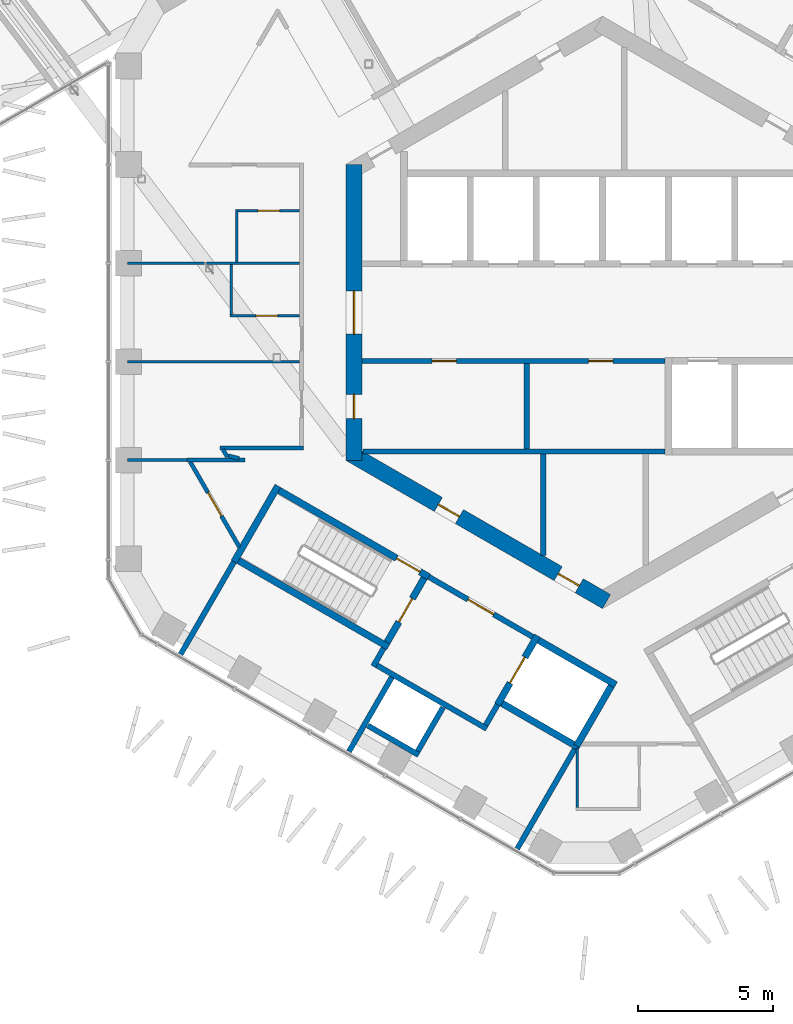
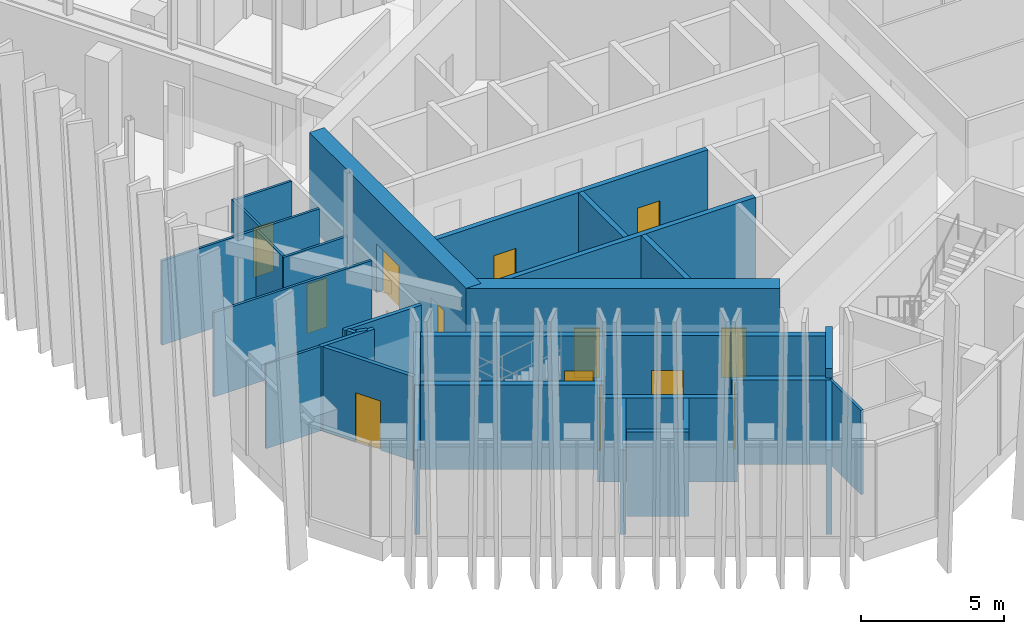
# One storey, part 18 of 29: 36 walls, 13 doors, 13 openings.
"""IFC4 building model written with IfcOpenShell, lengths in metres."""

from ifc_helpers import new_model, si_unit, direction, frame, frame_2d, origin, place, context, subcontext, project, spatial, rectangle, extrude, material, layer, layer_set, type_object, element, fill, save


model = new_model("IFC4")

# Units and contexts
model_context = context("Model", 3, precision=1e-05, world=origin(), true_north=direction((0.0, 1.0)))
body_context = subcontext(model_context, "Body", "Model", "MODEL_VIEW")
ifc_project = project(units=[si_unit("LENGTHUNIT", "METRE"), si_unit("AREAUNIT", "SQUARE_METRE"), si_unit("VOLUMEUNIT", "CUBIC_METRE"), si_unit("PLANEANGLEUNIT", "RADIAN"), si_unit("MASSUNIT", "GRAM", prefix="KILO")], contexts=[model_context])

# Site, building, storey
site_placement = place(None, origin())
site = spatial("IfcSite", under=ifc_project, at=site_placement, CompositionType="ELEMENT")
building_placement = place(site_placement, origin())
building = spatial("IfcBuilding", under=site, at=building_placement, Name="Ayvan Gate Tower", CompositionType="ELEMENT")
storey_placement = place(building_placement, frame((0.0, 0.0, 186.699951171875)))
storey = spatial("IfcBuildingStorey", under=building, at=storey_placement, Name="L50", CompositionType="ELEMENT", Elevation=186.699951171875)

# Wall, openings, doors
ifc_material_1 = material(Name="Concrete C60/75", Category="concrete")
ifc_layer_1 = layer(ifc_material_1, 0.60009765625)
ifc_layer_set_1 = layer_set([ifc_layer_1], Name="Concrete C60/75")
wall_type_1 = type_object("IfcWallType", Name="Core wall 600 C60/75", PredefinedType="SHEAR", material=ifc_layer_set_1)
wall_1_placement = place(storey_placement, frame((-9.199951171875, 5.48486328125, 0.0), z_axis=(0.0, 0.0, 1.0), x_axis=(0.0, -1.0, 0.0)))
wall_1 = element("IfcWall", 1, at=wall_1_placement, inside=storey, type_object=wall_type_1, Name="CORE-L50-3", PredefinedType="SHEAR", context=body_context, shape_type="SweptSolid", body=[
    extrude(rectangle(XDim=10.9697265625, YDim=0.60009765625, at=frame_2d((5.48486328125, 0.0))), origin(), (0.0, 0.0, 1.0), 4.0),
])
opening_1_placement = place(wall_1_placement, frame((8.51611328125, 0.0, 0.0)))
opening_1 = element("IfcOpeningElement", 2, at=opening_1_placement, cuts=wall_1, Name="Opening L50-D54", PredefinedType="OPENING", context=body_context, shape_type="SweptSolid", body=[
    extrude(rectangle(XDim=0.89990234375, YDim=2.10009765625, at=frame_2d((0.449951171875, 1.050048828125))), frame((0.0, 0.31005859375, 0.0), z_axis=(0.0, -1.0, 0.0), x_axis=(1.0, 0.0, 0.0)), (0.0, 0.0, 1.0), 0.6201171875),
])
opening_2_placement = place(wall_1_placement, frame((4.684814453125, 0.0, 0.0)))
opening_2 = element("IfcOpeningElement", 3, at=opening_2_placement, cuts=wall_1, Name="Opening L50-D56", PredefinedType="OPENING", context=body_context, shape_type="SweptSolid", body=[
    extrude(rectangle(XDim=1.60009765625, YDim=2.10009765625, at=frame_2d((0.800048828125, 1.050048828125))), frame((0.0, 0.31005859375, 0.0), z_axis=(0.0, -1.0, 0.0), x_axis=(1.0, 0.0, 0.0)), (0.0, 0.0, 1.0), 0.6201171875),
])
ifc_material_2 = material(Name="Timber door leaf", Category="wood")
door_type_1 = type_object("IfcDoorType", Name="DT-1600", OperationType="NOTDEFINED", PredefinedType="DOOR", material=ifc_material_2)
door_1_placement = place(opening_2_placement, origin())
door_1 = element("IfcDoor", 4, at=door_1_placement, inside=storey, type_object=door_type_1, Name="CD-L50-56", OperationType="SINGLE_SWING_RIGHT", OverallHeight=2.10009765625, OverallWidth=1.60009765625, PredefinedType="DOOR", context=body_context, shape_type="SweptSolid", body=[
    extrude(rectangle(XDim=1.60009765625, YDim=2.10009765625, at=frame_2d((0.800048828125, 1.050048828125))), frame((0.0, 0.02490234375, 0.0), z_axis=(0.0, -1.0, 0.0), x_axis=(1.0, 0.0, 0.0)), (0.0, 0.0, 1.0), 0.050048828125),
])
fill(opening_2, door_1)
door_type_2 = type_object("IfcDoorType", Name="DT-900", OperationType="NOTDEFINED", PredefinedType="DOOR", material=ifc_material_2)
door_2_placement = place(opening_1_placement, origin())
door_2 = element("IfcDoor", 5, at=door_2_placement, inside=storey, type_object=door_type_2, Name="CD-L50-54", OperationType="SINGLE_SWING_RIGHT", OverallHeight=2.10009765625, OverallWidth=0.89990234375, PredefinedType="DOOR", context=body_context, shape_type="SweptSolid", body=[
    extrude(rectangle(XDim=0.89990234375, YDim=2.10009765625, at=frame_2d((0.449951171875, 1.050048828125))), frame((0.0, 0.02490234375, 0.0), z_axis=(0.0, -1.0, 0.0), x_axis=(1.0, 0.0, 0.0)), (0.0, 0.0, 1.0), 0.050048828125),
])
fill(opening_1, door_2)

wall_2_placement = place(storey_placement, frame((-9.35009765625, -5.22509765625, 0.0), z_axis=(0.0, 0.0, 1.0), x_axis=(0.866023993627, -0.500002442456, 0.0)))
wall_2 = element("IfcWall", 6, at=wall_2_placement, inside=storey, type_object=wall_type_1, Name="CORE-L50-4", PredefinedType="SHEAR", context=body_context, shape_type="SweptSolid", body=[
    extrude(rectangle(XDim=10.9697265625, YDim=0.60009765625, at=frame_2d((5.48486328125, 0.0))), origin(), (0.0, 0.0, 1.0), 4.0),
])
opening_3_placement = place(wall_2_placement, frame((3.77685546875, 0.0, 0.0)))
opening_3 = element("IfcOpeningElement", 7, at=opening_3_placement, cuts=wall_2, Name="Opening L50-D51", PredefinedType="OPENING", context=body_context, shape_type="SweptSolid", body=[
    extrude(rectangle(XDim=0.89990234375, YDim=2.10009765625, at=frame_2d((0.449951171875, 1.050048828125))), frame((0.0, 0.31005859375, 0.0), z_axis=(0.0, -1.0, 0.0), x_axis=(1.0, 0.0, 0.0)), (0.0, 0.0, 1.0), 0.6201171875),
])
opening_4_placement = place(wall_2_placement, frame((8.902587890625, 0.0, 0.0)))
opening_4 = element("IfcOpeningElement", 8, at=opening_4_placement, cuts=wall_2, Name="Opening L50-D52", PredefinedType="OPENING", context=body_context, shape_type="SweptSolid", body=[
    extrude(rectangle(XDim=0.89990234375, YDim=2.10009765625, at=frame_2d((0.449951171875, 1.050048828125))), frame((0.0, 0.31005859375, 0.0), z_axis=(0.0, -1.0, 0.0), x_axis=(1.0, 0.0, 0.0)), (0.0, 0.0, 1.0), 0.6201171875),
])
door_3_placement = place(opening_3_placement, origin())
door_3 = element("IfcDoor", 9, at=door_3_placement, inside=storey, type_object=door_type_2, Name="CD-L50-51", OperationType="SINGLE_SWING_LEFT", OverallHeight=2.10009765625, OverallWidth=0.89990234375, PredefinedType="DOOR", context=body_context, shape_type="SweptSolid", body=[
    extrude(rectangle(XDim=0.89990234375, YDim=2.10009765625, at=frame_2d((0.449951171875, 1.050048828125))), frame((0.0, 0.02490234375, 0.0), z_axis=(0.0, -1.0, 0.0), x_axis=(1.0, 0.0, 0.0)), (0.0, 0.0, 1.0), 0.050048828125),
])
fill(opening_3, door_3)
door_4_placement = place(opening_4_placement, origin())
door_4 = element("IfcDoor", 10, at=door_4_placement, inside=storey, type_object=door_type_2, Name="CD-L50-52", OperationType="SINGLE_SWING_RIGHT", OverallHeight=2.10009765625, OverallWidth=0.89990234375, PredefinedType="DOOR", context=body_context, shape_type="SweptSolid", body=[
    extrude(rectangle(XDim=0.89990234375, YDim=2.10009765625, at=frame_2d((0.449951171875, 1.050048828125))), frame((0.0, 0.02490234375, 0.0), z_axis=(0.0, -1.0, 0.0), x_axis=(1.0, 0.0, 0.0)), (0.0, 0.0, 1.0), 0.050048828125),
])
fill(opening_4, door_4)

# Walls
ifc_material_3 = material(Name="Plasterboard on steel stud", Category="steel")
ifc_layer_2 = layer(ifc_material_3, 0.14990234375)
ifc_layer_set_2 = layer_set([ifc_layer_2], Name="Plasterboard on steel stud")
wall_type_2 = type_object("IfcWallType", Name="WT-CORR-150", PredefinedType="PARTITIONING", material=ifc_layer_set_2)
wall_3_placement = place(storey_placement, frame((-15.386474609375, -5.46630859375, 0.0), z_axis=(0.0, 0.0, 1.0), x_axis=(1.0, 0.0, 0.0)))
element("IfcWall", 11, at=wall_3_placement, inside=storey, type_object=wall_type_2, Name="IW-L50-010", PredefinedType="PARTITIONING", context=body_context, shape_type="SweptSolid", body=[
    extrude(rectangle(XDim=2.14306640625, YDim=0.14990234375, at=frame_2d((1.071533203125, 0.0))), origin(), (0.0, 0.0, 1.0), 3.60009765625),
])
wall_4_placement = place(storey_placement, frame((-14.1728515625, -5.016357421875, 0.0), z_axis=(0.0, 0.0, 1.0), x_axis=(1.0, 0.0, 0.0)))
element("IfcWall", 12, at=wall_4_placement, inside=storey, type_object=wall_type_2, Name="IW-L50-014", PredefinedType="PARTITIONING", context=body_context, shape_type="SweptSolid", body=[
    extrude(rectangle(XDim=3.097900390625, YDim=0.14990234375, at=frame_2d((1.548828125, 0.0))), origin(), (0.0, 0.0, 1.0), 3.60009765625),
])
wall_5_placement = place(storey_placement, frame((-13.893798828125, -5.35498046875, 0.0), z_axis=(0.0, 0.0, 1.0), x_axis=(-0.51595199771, 0.856617496937, 0.0)))
element("IfcWall", 13, at=wall_5_placement, inside=storey, type_object=wall_type_2, Name="IW-L50-015", PredefinedType="PARTITIONING", context=body_context, shape_type="SweptSolid", body=[
    extrude(rectangle(XDim=0.3203125, YDim=0.14990234375, at=frame_2d((0.16015625, 0.0))), origin(), (0.0, 0.0, 1.0), 3.60009765625),
])
wall_6_placement = place(storey_placement, frame((-13.45947265625, -5.412109375, 0.0), z_axis=(0.0, 0.0, 1.0), x_axis=(-0.968736704431, 0.248091107232, 0.0)))
element("IfcWall", 14, at=wall_6_placement, inside=storey, type_object=wall_type_2, Name="IW-L50-021", PredefinedType="PARTITIONING", context=body_context, shape_type="SweptSolid", body=[
    extrude(rectangle(XDim=0.413330078125, YDim=0.14990234375, at=frame_2d((0.20654296875, 0.0))), origin(), (0.0, 0.0, 1.0), 3.60009765625),
])

# Wall, opening, door
wall_7_placement = place(storey_placement, frame((-13.453125, -8.68505859375, 0.0), z_axis=(0.0, 0.0, 1.0), x_axis=(-0.499989401968, 0.866031522475, 0.0)))
wall_7 = element("IfcWall", 15, at=wall_7_placement, inside=storey, type_object=wall_type_2, Name="IW-L50-022", PredefinedType="PARTITIONING", context=body_context, shape_type="SweptSolid", body=[
    extrude(rectangle(XDim=3.6416015625, YDim=0.14990234375, at=frame_2d((1.82080078125, 0.0))), origin(), (0.0, 0.0, 1.0), 3.60009765625),
])
opening_5_placement = place(wall_7_placement, frame((1.32080078125, 0.0, 0.0)))
opening_5 = element("IfcOpeningElement", 16, at=opening_5_placement, cuts=wall_7, Name="Opening L50-D30", PredefinedType="OPENING", context=body_context, shape_type="SweptSolid", body=[
    extrude(rectangle(XDim=1.0, YDim=2.10009765625, at=frame_2d((0.5, 1.050048828125))), frame((0.0, 0.0849609375, 0.0), z_axis=(0.0, -1.0, 0.0), x_axis=(1.0, 0.0, 0.0)), (0.0, 0.0, 1.0), 0.169921875),
])
door_type_3 = type_object("IfcDoorType", Name="DT-1000", OperationType="NOTDEFINED", PredefinedType="DOOR", material=ifc_material_2)
door_5_placement = place(opening_5_placement, origin())
door_5 = element("IfcDoor", 17, at=door_5_placement, inside=storey, type_object=door_type_3, Name="ID-L50-030", OperationType="SINGLE_SWING_RIGHT", OverallHeight=2.10009765625, OverallWidth=1.0, PredefinedType="DOOR", context=body_context, shape_type="SweptSolid", body=[
    extrude(rectangle(XDim=1.0, YDim=2.10009765625, at=frame_2d((0.5, 1.050048828125))), frame((0.0, 0.02490234375, 0.0), z_axis=(0.0, -1.0, 0.0), x_axis=(1.0, 0.0, 0.0)), (0.0, 0.0, 1.0), 0.050048828125),
])
fill(opening_5, door_5)

# Wall
ifc_layer_3 = layer(ifc_material_3, 0.10009765625)
ifc_layer_set_3 = layer_set([ifc_layer_3], Name="Plasterboard on steel stud")
wall_type_3 = type_object("IfcWallType", Name="WT-PART-100", PredefinedType="PARTITIONING", material=ifc_layer_set_3)
wall_8_placement = place(storey_placement, frame((-15.38623046875, -5.46630859375, 0.0), z_axis=(0.0, 0.0, 1.0), x_axis=(-1.0, 0.0, 0.0)))
element("IfcWall", 18, at=wall_8_placement, inside=storey, type_object=wall_type_3, Name="IW-L50-011", PredefinedType="PARTITIONING", context=body_context, shape_type="SweptSolid", body=[
    extrude(rectangle(XDim=2.206787109375, YDim=0.10009765625, at=frame_2d((1.103515625, 0.0))), origin(), (0.0, 0.0, 1.0), 3.60009765625),
])

# Wall, opening, door
wall_9_placement = place(storey_placement, frame((-13.800048828125, -0.1220703125, 0.0), z_axis=(0.0, 0.0, 1.0), x_axis=(1.0, 0.0, 0.0)))
wall_9 = element("IfcWall", 19, at=wall_9_placement, inside=storey, type_object=wall_type_3, Name="IW-L50-016", PredefinedType="PARTITIONING", context=body_context, shape_type="SweptSolid", body=[
    extrude(rectangle(XDim=2.574951171875, YDim=0.10009765625, at=frame_2d((1.28759765625, 0.0))), origin(), (0.0, 0.0, 1.0), 3.60009765625),
])
opening_6_placement = place(wall_9_placement, frame((0.96240234375, 0.0, 0.0)))
opening_6 = element("IfcOpeningElement", 20, at=opening_6_placement, cuts=wall_9, Name="Opening L50-D28", PredefinedType="OPENING", context=body_context, shape_type="SweptSolid", body=[
    extrude(rectangle(XDim=0.800048828125, YDim=2.10009765625, at=frame_2d((0.39990234375, 1.050048828125))), frame((0.0, 0.06005859375, 0.0), z_axis=(0.0, -1.0, 0.0), x_axis=(1.0, 0.0, 0.0)), (0.0, 0.0, 1.0), 0.1201171875),
])
door_type_4 = type_object("IfcDoorType", Name="DT-800", OperationType="NOTDEFINED", PredefinedType="DOOR", material=ifc_material_2)
door_6_placement = place(opening_6_placement, origin())
door_6 = element("IfcDoor", 21, at=door_6_placement, inside=storey, type_object=door_type_4, Name="ID-L50-028", OperationType="SINGLE_SWING_RIGHT", OverallHeight=2.10009765625, OverallWidth=0.800048828125, PredefinedType="DOOR", context=body_context, shape_type="SweptSolid", body=[
    extrude(rectangle(XDim=0.800048828125, YDim=2.10009765625, at=frame_2d((0.39990234375, 1.050048828125))), frame((0.0, 0.02490234375, 0.0), z_axis=(0.0, -1.0, 0.0), x_axis=(1.0, 0.0, 0.0)), (0.0, 0.0, 1.0), 0.050048828125),
])
fill(opening_6, door_6)

# Walls
wall_10_placement = place(storey_placement, frame((-13.75, 1.772216796875, 0.0), z_axis=(0.0, 0.0, 1.0), x_axis=(0.0, -1.0, 0.0)))
element("IfcWall", 22, at=wall_10_placement, inside=storey, type_object=wall_type_3, Name="IW-L50-017", PredefinedType="PARTITIONING", context=body_context, shape_type="SweptSolid", body=[
    extrude(rectangle(XDim=1.84423828125, YDim=0.10009765625, at=frame_2d((0.922119140625, 0.0))), origin(), (0.0, 0.0, 1.0), 3.60009765625),
])
wall_11_placement = place(storey_placement, frame((-17.593017578125, 1.822021484375, 0.0), z_axis=(0.0, 0.0, 1.0), x_axis=(1.0, 0.0, 0.0)))
element("IfcWall", 23, at=wall_11_placement, inside=storey, type_object=wall_type_3, Name="IW-L50-018", PredefinedType="PARTITIONING", context=body_context, shape_type="SweptSolid", body=[
    extrude(rectangle(XDim=6.367919921875, YDim=0.10009765625, at=frame_2d((3.18408203125, 0.0))), origin(), (0.0, 0.0, 1.0), 3.60009765625),
])
wall_12_placement = place(storey_placement, frame((-13.550048828125, 3.81640625, 0.0), z_axis=(0.0, 0.0, 1.0), x_axis=(0.0, -1.0, 0.0)))
element("IfcWall", 24, at=wall_12_placement, inside=storey, type_object=wall_type_3, Name="IW-L50-020", PredefinedType="PARTITIONING", context=body_context, shape_type="SweptSolid", body=[
    extrude(rectangle(XDim=1.9443359375, YDim=0.10009765625, at=frame_2d((0.97216796875, 0.0))), origin(), (0.0, 0.0, 1.0), 3.60009765625),
])

# Wall, opening, door
wall_13_placement = place(storey_placement, frame((-11.22509765625, 3.766357421875, 0.0), z_axis=(0.0, 0.0, 1.0), x_axis=(-1.0, 0.0, 0.0)))
wall_13 = element("IfcWall", 25, at=wall_13_placement, inside=storey, type_object=wall_type_3, Name="IW-L50-029", PredefinedType="PARTITIONING", context=body_context, shape_type="SweptSolid", body=[
    extrude(rectangle(XDim=2.27490234375, YDim=0.10009765625, at=frame_2d((1.137451171875, 0.0))), origin(), (0.0, 0.0, 1.0), 3.60009765625),
])
opening_7_placement = place(wall_13_placement, frame((0.737548828125, 0.0, 0.0)))
opening_7 = element("IfcOpeningElement", 26, at=opening_7_placement, cuts=wall_13, Name="Opening L50-D26", PredefinedType="OPENING", context=body_context, shape_type="SweptSolid", body=[
    extrude(rectangle(XDim=0.800048828125, YDim=2.10009765625, at=frame_2d((0.39990234375, 1.050048828125))), frame((0.0, 0.06005859375, 0.0), z_axis=(0.0, -1.0, 0.0), x_axis=(1.0, 0.0, 0.0)), (0.0, 0.0, 1.0), 0.1201171875),
])
door_7_placement = place(opening_7_placement, origin())
door_7 = element("IfcDoor", 27, at=door_7_placement, inside=storey, type_object=door_type_4, Name="ID-L50-026", OperationType="SINGLE_SWING_RIGHT", OverallHeight=2.10009765625, OverallWidth=0.800048828125, PredefinedType="DOOR", context=body_context, shape_type="SweptSolid", body=[
    extrude(rectangle(XDim=0.800048828125, YDim=2.10009765625, at=frame_2d((0.39990234375, 1.050048828125))), frame((0.0, 0.02490234375, 0.0), z_axis=(0.0, -1.0, 0.0), x_axis=(1.0, 0.0, 0.0)), (0.0, 0.0, 1.0), 0.050048828125),
])
fill(opening_7, door_7)

# Walls
wall_14_placement = place(storey_placement, frame((-11.22509765625, -1.822021484375, 0.0), z_axis=(0.0, 0.0, 1.0), x_axis=(-1.0, 0.0, 0.0)))
element("IfcWall", 28, at=wall_14_placement, inside=storey, type_object=wall_type_3, Name="IW-L50-031", PredefinedType="PARTITIONING", context=body_context, shape_type="SweptSolid", body=[
    extrude(rectangle(XDim=6.367919921875, YDim=0.10009765625, at=frame_2d((3.18408203125, 0.0))), origin(), (0.0, 0.0, 1.0), 3.60009765625),
])
wall_15_placement = place(storey_placement, frame((-0.937255859375, -16.148193359375, 0.0), z_axis=(0.0, 0.0, 1.0), x_axis=(0.0, -1.0, 0.0)))
element("IfcWall", 29, at=wall_15_placement, inside=storey, type_object=wall_type_3, Name="IW-L50-067", PredefinedType="PARTITIONING", context=body_context, shape_type="SweptSolid", body=[
    extrude(rectangle(XDim=2.195068359375, YDim=0.10009765625, at=frame_2d((1.09765625, 0.0))), origin(), (0.0, 0.0, 1.0), 3.60009765625),
])
ifc_layer_4 = layer(ifc_material_3, 0.199951171875)
ifc_layer_set_4 = layer_set([ifc_layer_4], Name="Plasterboard on steel stud")
wall_type_4 = type_object("IfcWallType", Name="WT-PLUMB-200", PredefinedType="PLUMBINGWALL", material=ifc_layer_set_4)
wall_16_placement = place(storey_placement, frame((-15.626708984375, -12.666259765625, 0.0), z_axis=(0.0, 0.0, 1.0), x_axis=(0.499980548326, 0.866036633923, 0.0)))
element("IfcWall", 30, at=wall_16_placement, inside=storey, type_object=wall_type_4, Name="IW-L50-009", PredefinedType="PLUMBINGWALL", context=body_context, shape_type="SweptSolid", body=[
    extrude(rectangle(XDim=3.957763671875, YDim=0.199951171875, at=frame_2d((1.97900390625, 0.0))), origin(), (0.0, 0.0, 1.0), 3.60009765625),
])
wall_17_placement = place(storey_placement, frame((-8.492919921875, -13.110107421875, 0.0), z_axis=(0.0, 0.0, 1.0), x_axis=(0.500067724834, 0.865986299303, 0.0)))
element("IfcWall", 31, at=wall_17_placement, inside=storey, type_object=wall_type_4, Name="IW-L50-038", PredefinedType="PLUMBINGWALL", context=body_context, shape_type="SweptSolid", body=[
    extrude(rectangle(XDim=0.775390625, YDim=0.199951171875, at=frame_2d((0.3876953125, 0.0))), origin(), (0.0, 0.0, 1.0), 3.60009765625),
])
wall_18_placement = place(storey_placement, frame((-7.800048828125, -13.510009765625, 0.0), z_axis=(0.0, 0.0, 1.0), x_axis=(-0.500016846771, -0.866015677078, 0.0)))
element("IfcWall", 32, at=wall_18_placement, inside=storey, type_object=wall_type_4, Name="IW-L50-041", PredefinedType="PLUMBINGWALL", context=body_context, shape_type="SweptSolid", body=[
    extrude(rectangle(XDim=3.1826171875, YDim=0.199951171875, at=frame_2d((1.59130859375, 0.0))), origin(), (0.0, 0.0, 1.0), 3.60009765625),
])
wall_19_placement = place(storey_placement, frame((-8.356201171875, -13.073486328125, 0.0), z_axis=(0.0, 0.0, 1.0), x_axis=(0.866038532462, -0.499977259774, 0.0)))
element("IfcWall", 33, at=wall_19_placement, inside=storey, type_object=wall_type_4, Name="IW-L50-042", PredefinedType="PLUMBINGWALL", context=body_context, shape_type="SweptSolid", body=[
    extrude(rectangle(XDim=4.699951171875, YDim=0.199951171875, at=frame_2d((2.35009765625, 0.0))), origin(), (0.0, 0.0, 1.0), 3.60009765625),
])
wall_20_placement = place(storey_placement, frame((-3.885009765625, -14.52880859375, 0.0), z_axis=(0.0, 0.0, 1.0), x_axis=(-0.499859285417, -0.866106630146, 0.0)))
element("IfcWall", 34, at=wall_20_placement, inside=storey, type_object=wall_type_4, Name="IW-L50-052", PredefinedType="PLUMBINGWALL", context=body_context, shape_type="SweptSolid", body=[
    extrude(rectangle(XDim=0.875244140625, YDim=0.199951171875, at=frame_2d((0.4375, 0.0))), origin(), (0.0, 0.0, 1.0), 3.60009765625),
])
wall_21_placement = place(storey_placement, frame((-1.027099609375, -16.178955078125, 0.0), z_axis=(0.0, 0.0, 1.0), x_axis=(-0.500011993549, -0.866018479195, 0.0)))
element("IfcWall", 35, at=wall_21_placement, inside=storey, type_object=wall_type_4, Name="IW-L50-065", PredefinedType="PLUMBINGWALL", context=body_context, shape_type="SweptSolid", body=[
    extrude(rectangle(XDim=4.2578125, YDim=0.199951171875, at=frame_2d((2.12890625, 0.0))), origin(), (0.0, 0.0, 1.0), 3.60009765625),
])
wall_22_placement = place(storey_placement, frame((-6.80810546875, -16.39208984375, 0.0), z_axis=(0.0, 0.0, 1.0), x_axis=(-0.866008413041, 0.500029427677, 0.0)))
element("IfcWall", 36, at=wall_22_placement, inside=storey, type_object=wall_type_4, Name="IW-L50-132", PredefinedType="PLUMBINGWALL", context=body_context, shape_type="SweptSolid", body=[
    extrude(rectangle(XDim=2.179931640625, YDim=0.199951171875, at=frame_2d((1.08984375, 0.0))), origin(), (0.0, 0.0, 1.0), 3.60009765625),
])
wall_23_placement = place(storey_placement, frame((-5.90478515625, -14.627197265625, 0.0), z_axis=(0.0, 0.0, 1.0), x_axis=(-0.499966013754, -0.866045024864, 0.0)))
element("IfcWall", 37, at=wall_23_placement, inside=storey, type_object=wall_type_4, Name="IW-L50-133", PredefinedType="PLUMBINGWALL", context=body_context, shape_type="SweptSolid", body=[
    extrude(rectangle(XDim=1.880126953125, YDim=0.199951171875, at=frame_2d((0.93994140625, 0.0))), origin(), (0.0, 0.0, 1.0), 3.60009765625),
])
ifc_layer_5 = layer(ifc_material_3, 0.199951171875)
ifc_layer_set_5 = layer_set([ifc_layer_5], Name="Plasterboard on steel stud")
wall_type_5 = type_object("IfcWallType", Name="WT-RATED-200", PredefinedType="PARTITIONING", material=ifc_layer_set_5)
wall_24_placement = place(storey_placement, frame((-8.8798828125, -5.14990234375, 0.0), z_axis=(0.0, 0.0, 1.0), x_axis=(1.0, 0.0, 0.0)))
element("IfcWall", 38, at=wall_24_placement, inside=storey, type_object=wall_type_5, Name="IW-L50-035", PredefinedType="PARTITIONING", context=body_context, shape_type="SweptSolid", body=[
    extrude(rectangle(XDim=11.205078125, YDim=0.199951171875, at=frame_2d((5.6025390625, 0.0))), origin(), (0.0, 0.0, 1.0), 3.60009765625),
])

# Wall, opening, door
wall_25_placement = place(storey_placement, frame((-6.4345703125, -9.794921875, 0.0), z_axis=(0.0, 0.0, 1.0), x_axis=(0.866012907634, -0.500021643343, 0.0)))
wall_25 = element("IfcWall", 39, at=wall_25_placement, inside=storey, type_object=wall_type_5, Name="IW-L50-050", PredefinedType="PARTITIONING", context=body_context, shape_type="SweptSolid", body=[
    extrude(rectangle(XDim=4.449951171875, YDim=0.199951171875, at=frame_2d((2.22509765625, 0.0))), origin(), (0.0, 0.0, 1.0), 3.60009765625),
])
opening_8_placement = place(wall_25_placement, frame((1.675048828125, 0.0, 0.0)))
opening_8 = element("IfcOpeningElement", 40, at=opening_8_placement, cuts=wall_25, Name="Opening L50-D16", PredefinedType="OPENING", context=body_context, shape_type="SweptSolid", body=[
    extrude(rectangle(XDim=1.10009765625, YDim=2.10009765625, at=frame_2d((0.550048828125, 1.050048828125))), frame((0.0, 0.10986328125, 0.0), z_axis=(0.0, -1.0, 0.0), x_axis=(1.0, 0.0, 0.0)), (0.0, 0.0, 1.0), 0.219970703125),
])
door_type_5 = type_object("IfcDoorType", Name="DT-1100", OperationType="NOTDEFINED", PredefinedType="DOOR", material=ifc_material_2)
door_8_placement = place(opening_8_placement, origin())
door_8 = element("IfcDoor", 41, at=door_8_placement, inside=storey, type_object=door_type_5, Name="ID-L50-016", OperationType="SINGLE_SWING_RIGHT", OverallHeight=2.10009765625, OverallWidth=1.10009765625, PredefinedType="DOOR", context=body_context, shape_type="SweptSolid", body=[
    extrude(rectangle(XDim=1.10009765625, YDim=2.10009765625, at=frame_2d((0.550048828125, 1.050048828125))), frame((0.0, 0.02490234375, 0.0), z_axis=(0.0, -1.0, 0.0), x_axis=(1.0, 0.0, 0.0)), (0.0, 0.0, 1.0), 0.050048828125),
])
fill(opening_8, door_8)

# Wall
wall_26_placement = place(storey_placement, frame((-2.800048828125, -1.89990234375, 0.0), z_axis=(0.0, 0.0, 1.0), x_axis=(0.0, -1.0, 0.0)))
element("IfcWall", 42, at=wall_26_placement, inside=storey, type_object=wall_type_5, Name="IW-L50-056", PredefinedType="PARTITIONING", context=body_context, shape_type="SweptSolid", body=[
    extrude(rectangle(XDim=3.150146484375, YDim=0.199951171875, at=frame_2d((1.5751953125, 0.0))), origin(), (0.0, 0.0, 1.0), 3.60009765625),
])

# Wall, openings, doors
wall_27_placement = place(storey_placement, frame((-8.89990234375, -1.800048828125, 0.0), z_axis=(0.0, 0.0, 1.0), x_axis=(1.0, 0.0, 0.0)))
wall_27 = element("IfcWall", 43, at=wall_27_placement, inside=storey, type_object=wall_type_5, Name="IW-L50-057", PredefinedType="PARTITIONING", context=body_context, shape_type="SweptSolid", body=[
    extrude(rectangle(XDim=11.22509765625, YDim=0.199951171875, at=frame_2d((5.612548828125, 0.0))), origin(), (0.0, 0.0, 1.0), 3.60009765625),
])
opening_9_placement = place(wall_27_placement, frame((2.5849609375, 0.0, 0.0)))
opening_9 = element("IfcOpeningElement", 44, at=opening_9_placement, cuts=wall_27, Name="Opening L50-D08", PredefinedType="OPENING", context=body_context, shape_type="SweptSolid", body=[
    extrude(rectangle(XDim=0.89990234375, YDim=2.10009765625, at=frame_2d((0.449951171875, 1.050048828125))), frame((0.0, 0.10986328125, 0.0), z_axis=(0.0, -1.0, 0.0), x_axis=(1.0, 0.0, 0.0)), (0.0, 0.0, 1.0), 0.219970703125),
])
opening_10_placement = place(wall_27_placement, frame((8.387451171875, 0.0, 0.0)))
opening_10 = element("IfcOpeningElement", 45, at=opening_10_placement, cuts=wall_27, Name="Opening L50-D09", PredefinedType="OPENING", context=body_context, shape_type="SweptSolid", body=[
    extrude(rectangle(XDim=0.89990234375, YDim=2.10009765625, at=frame_2d((0.449951171875, 1.050048828125))), frame((0.0, 0.10986328125, 0.0), z_axis=(0.0, -1.0, 0.0), x_axis=(1.0, 0.0, 0.0)), (0.0, 0.0, 1.0), 0.219970703125),
])
door_9_placement = place(opening_9_placement, origin())
door_9 = element("IfcDoor", 46, at=door_9_placement, inside=storey, type_object=door_type_2, Name="ID-L50-008", OperationType="SINGLE_SWING_RIGHT", OverallHeight=2.10009765625, OverallWidth=0.89990234375, PredefinedType="DOOR", context=body_context, shape_type="SweptSolid", body=[
    extrude(rectangle(XDim=0.89990234375, YDim=2.10009765625, at=frame_2d((0.449951171875, 1.050048828125))), frame((0.0, 0.02490234375, 0.0), z_axis=(0.0, -1.0, 0.0), x_axis=(1.0, 0.0, 0.0)), (0.0, 0.0, 1.0), 0.050048828125),
])
fill(opening_9, door_9)
door_10_placement = place(opening_10_placement, origin())
door_10 = element("IfcDoor", 47, at=door_10_placement, inside=storey, type_object=door_type_2, Name="ID-L50-009", OperationType="SINGLE_SWING_LEFT", OverallHeight=2.10009765625, OverallWidth=0.89990234375, PredefinedType="DOOR", context=body_context, shape_type="SweptSolid", body=[
    extrude(rectangle(XDim=0.89990234375, YDim=2.10009765625, at=frame_2d((0.449951171875, 1.050048828125))), frame((0.0, 0.02490234375, 0.0), z_axis=(0.0, -1.0, 0.0), x_axis=(1.0, 0.0, 0.0)), (0.0, 0.0, 1.0), 0.050048828125),
])
fill(opening_10, door_10)

# Walls
wall_28_placement = place(storey_placement, frame((-2.199951171875, -5.25, 0.0), z_axis=(0.0, 0.0, 1.0), x_axis=(0.0, -1.0, 0.0)))
element("IfcWall", 48, at=wall_28_placement, inside=storey, type_object=wall_type_5, Name="IW-L50-061", PredefinedType="PARTITIONING", context=body_context, shape_type="SweptSolid", body=[
    extrude(rectangle(XDim=3.756591796875, YDim=0.199951171875, at=frame_2d((1.87841796875, 0.0))), origin(), (0.0, 0.0, 1.0), 3.60009765625),
])
ifc_material_4 = material(Name="Concrete C50/60", Category="concrete")
ifc_layer_6 = layer(ifc_material_4, 0.25)
ifc_layer_set_6 = layer_set([ifc_layer_6], Name="Concrete C50/60")
wall_type_6 = type_object("IfcWallType", Name="WT-RC-250", PredefinedType="SHEAR", material=ifc_layer_set_6)
wall_29_placement = place(storey_placement, frame((-13.64794921875, -9.23876953125, 0.0), z_axis=(0.0, 0.0, 1.0), x_axis=(0.500017246033, 0.866015446554, 0.0)))
element("IfcWall", 49, at=wall_29_placement, inside=storey, type_object=wall_type_6, Name="IW-L50-019", PredefinedType="SHEAR", context=body_context, shape_type="SweptSolid", body=[
    extrude(rectangle(XDim=3.25, YDim=0.25, at=frame_2d((1.625, 0.0))), origin(), (0.0, 0.0, 1.0), 3.60009765625),
])

# Wall, opening, door
wall_30_placement = place(storey_placement, frame((-11.97705078125, -6.594970703125, 0.0), z_axis=(0.0, 0.0, 1.0), x_axis=(0.866025499775, -0.499999833739, 0.0)))
wall_30 = element("IfcWall", 50, at=wall_30_placement, inside=storey, type_object=wall_type_6, Name="IW-L50-025", PredefinedType="SHEAR", context=body_context, shape_type="SweptSolid", body=[
    extrude(rectangle(XDim=6.39990234375, YDim=0.25, at=frame_2d((3.199951171875, 0.0))), origin(), (0.0, 0.0, 1.0), 3.60009765625),
])
opening_11_placement = place(wall_30_placement, frame((5.02490234375, 0.0, 0.0)))
opening_11 = element("IfcOpeningElement", 51, at=opening_11_placement, cuts=wall_30, Name="Opening L50-D14", PredefinedType="OPENING", context=body_context, shape_type="SweptSolid", body=[
    extrude(rectangle(XDim=1.0, YDim=2.10009765625, at=frame_2d((0.5, 1.050048828125))), frame((0.0, 0.135009765625, 0.0), z_axis=(0.0, -1.0, 0.0), x_axis=(1.0, 0.0, 0.0)), (0.0, 0.0, 1.0), 0.27001953125),
])
door_11_placement = place(opening_11_placement, origin())
door_11 = element("IfcDoor", 52, at=door_11_placement, inside=storey, type_object=door_type_3, Name="ID-L50-014", OperationType="SINGLE_SWING_RIGHT", OverallHeight=2.10009765625, OverallWidth=1.0, PredefinedType="DOOR", context=body_context, shape_type="SweptSolid", body=[
    extrude(rectangle(XDim=1.0, YDim=2.10009765625, at=frame_2d((0.5, 1.050048828125))), frame((0.0, 0.02490234375, 0.0), z_axis=(0.0, -1.0, 0.0), x_axis=(1.0, 0.0, 0.0)), (0.0, 0.0, 1.0), 0.050048828125),
])
fill(opening_11, door_11)

# Wall
wall_31_placement = place(storey_placement, frame((-7.9345703125, -12.39306640625, 0.0), z_axis=(0.0, 0.0, 1.0), x_axis=(-0.866025499775, 0.499999833739, 0.0)))
element("IfcWall", 53, at=wall_31_placement, inside=storey, type_object=wall_type_6, Name="IW-L50-040", PredefinedType="SHEAR", context=body_context, shape_type="SweptSolid", body=[
    extrude(rectangle(XDim=6.39990234375, YDim=0.25, at=frame_2d((3.199951171875, 0.0))), origin(), (0.0, 0.0, 1.0), 3.60009765625),
])

# Wall, opening, door
wall_32_placement = place(storey_placement, frame((-6.605224609375, -9.8408203125, 0.0), z_axis=(0.0, 0.0, 1.0), x_axis=(-0.499996545922, -0.866027397988, 0.0)))
wall_32 = element("IfcWall", 54, at=wall_32_placement, inside=storey, type_object=wall_type_6, Name="IW-L50-049", PredefinedType="SHEAR", context=body_context, shape_type="SweptSolid", body=[
    extrude(rectangle(XDim=2.75, YDim=0.25, at=frame_2d((1.375, 0.0))), origin(), (0.0, 0.0, 1.0), 3.60009765625),
])
opening_12_placement = place(wall_32_placement, frame((0.875, 0.0, 0.0)))
opening_12 = element("IfcOpeningElement", 55, at=opening_12_placement, cuts=wall_32, Name="Opening L50-D15", PredefinedType="OPENING", context=body_context, shape_type="SweptSolid", body=[
    extrude(rectangle(XDim=1.0, YDim=2.10009765625, at=frame_2d((0.5, 1.050048828125))), frame((0.0, 0.135009765625, 0.0), z_axis=(0.0, -1.0, 0.0), x_axis=(1.0, 0.0, 0.0)), (0.0, 0.0, 1.0), 0.27001953125),
])
door_12_placement = place(opening_12_placement, origin())
door_12 = element("IfcDoor", 56, at=door_12_placement, inside=storey, type_object=door_type_3, Name="ID-L50-015", OperationType="SINGLE_SWING_LEFT", OverallHeight=2.10009765625, OverallWidth=1.0, PredefinedType="DOOR", context=body_context, shape_type="SweptSolid", body=[
    extrude(rectangle(XDim=1.0, YDim=2.10009765625, at=frame_2d((0.5, 1.050048828125))), frame((0.0, 0.02490234375, 0.0), z_axis=(0.0, -1.0, 0.0), x_axis=(1.0, 0.0, 0.0)), (0.0, 0.0, 1.0), 0.050048828125),
])
fill(opening_12, door_12)

wall_33_placement = place(storey_placement, frame((-2.409912109375, -11.97412109375, 0.0), z_axis=(0.0, 0.0, 1.0), x_axis=(-0.500001826776, -0.866024349092, 0.0)))
wall_33 = element("IfcWall", 57, at=wall_33_placement, inside=storey, type_object=wall_type_6, Name="IW-L50-058", PredefinedType="SHEAR", context=body_context, shape_type="SweptSolid", body=[
    extrude(rectangle(XDim=2.9501953125, YDim=0.25, at=frame_2d((1.47509765625, 0.0))), origin(), (0.0, 0.0, 1.0), 3.60009765625),
])
opening_13_placement = place(wall_33_placement, frame((0.925048828125, 0.0, 0.0)))
opening_13 = element("IfcOpeningElement", 58, at=opening_13_placement, cuts=wall_33, Name="Opening L50-LD-FF2", PredefinedType="OPENING", context=body_context, shape_type="SweptSolid", body=[
    extrude(rectangle(XDim=1.10009765625, YDim=2.10009765625, at=frame_2d((0.550048828125, 1.050048828125))), frame((0.0, 0.135009765625, 0.0), z_axis=(0.0, -1.0, 0.0), x_axis=(1.0, 0.0, 0.0)), (0.0, 0.0, 1.0), 0.27001953125),
])
ifc_material_5 = material(Name="Stainless steel landing door", Category="steel")
door_type_6 = type_object("IfcDoorType", Name="DT-LANDING-1100", OperationType="SLIDING_TO_LEFT", PredefinedType="DOOR", material=ifc_material_5)
door_13_placement = place(opening_13_placement, origin())
door_13 = element("IfcDoor", 59, at=door_13_placement, inside=storey, type_object=door_type_6, Name="ID-L50-017", OperationType="SLIDING_TO_LEFT", OverallHeight=2.10009765625, OverallWidth=1.10009765625, PredefinedType="DOOR", context=body_context, shape_type="SweptSolid", body=[
    extrude(rectangle(XDim=1.10009765625, YDim=2.10009765625, at=frame_2d((0.550048828125, 1.050048828125))), frame((0.0, 0.02490234375, 0.0), z_axis=(0.0, -1.0, 0.0), x_axis=(1.0, 0.0, 0.0)), (0.0, 0.0, 1.0), 0.050048828125),
])
fill(opening_13, door_13)

# Walls
wall_34_placement = place(storey_placement, frame((-2.3642578125, -12.14501953125, 0.0), z_axis=(0.0, 0.0, 1.0), x_axis=(0.866040211805, -0.499974350878, 0.0)))
element("IfcWall", 60, at=wall_34_placement, inside=storey, type_object=wall_type_6, Name="IW-L50-059", PredefinedType="SHEAR", context=body_context, shape_type="SweptSolid", body=[
    extrude(rectangle(XDim=3.300048828125, YDim=0.25, at=frame_2d((1.64990234375, 0.0))), origin(), (0.0, 0.0, 1.0), 3.60009765625),
])
wall_35_placement = place(storey_placement, frame((-0.8564453125, -16.13330078125, 0.0), z_axis=(0.0, 0.0, 1.0), x_axis=(-0.866021716278, 0.500006386895, 0.0)))
element("IfcWall", 61, at=wall_35_placement, inside=storey, type_object=wall_type_6, Name="IW-L50-064", PredefinedType="SHEAR", context=body_context, shape_type="SweptSolid", body=[
    extrude(rectangle(XDim=3.2998046875, YDim=0.25, at=frame_2d((1.64990234375, 0.0))), origin(), (0.0, 0.0, 1.0), 3.60009765625),
])
wall_36_placement = place(storey_placement, frame((0.322998046875, -13.8408203125, 0.0), z_axis=(0.0, 0.0, 1.0), x_axis=(-0.500066320839, -0.865987110044, 0.0)))
element("IfcWall", 62, at=wall_36_placement, inside=storey, type_object=wall_type_6, Name="IW-L50-074", PredefinedType="SHEAR", context=body_context, shape_type="SweptSolid", body=[
    extrude(rectangle(XDim=2.560791015625, YDim=0.25, at=frame_2d((1.2802734375, 0.0))), origin(), (0.0, 0.0, 1.0), 4.0),
])

save(model, "model.ifc")
